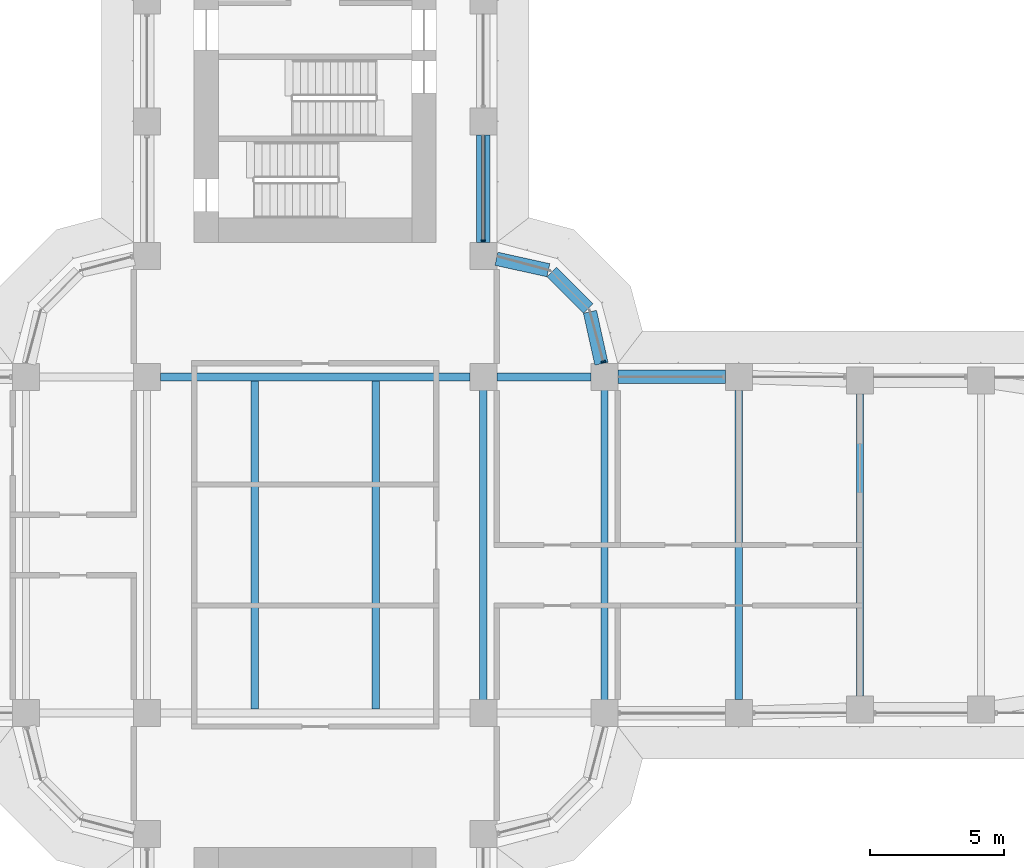
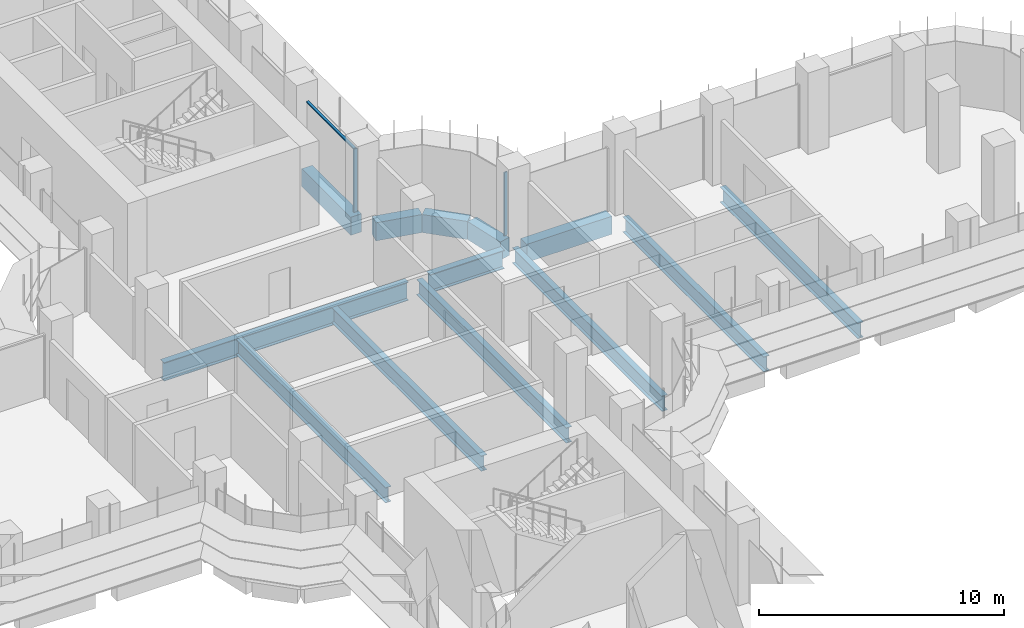
# One storey, part 8 of 23: 13 beams, 3 members, 2 elements without a shape of their own.
"""IFC4 building model written with IfcOpenShell, lengths in metres."""

from ifc_helpers import new_model, si_unit, direction, frame, origin, origin_2d, place, context, subcontext, project, spatial, polyline, rectangle, i_section, outline, extrude, source, transform, mapped, material, material_profile, profile_set, type_object, element, aggregate, save


model = new_model("IFC4")

# Units and contexts
model_context = context("Model", 3, precision=1e-05, world=origin(), true_north=direction((0.0, 1.0)))
body_context = subcontext(model_context, "Body", "Model", "MODEL_VIEW")
ifc_project = project(units=[si_unit("LENGTHUNIT", "METRE"), si_unit("AREAUNIT", "SQUARE_METRE"), si_unit("VOLUMEUNIT", "CUBIC_METRE"), si_unit("PLANEANGLEUNIT", "RADIAN"), si_unit("MASSUNIT", "GRAM", prefix="KILO")], contexts=[model_context])

# Site, building, storey
site_placement = place(None, origin())
site = spatial("IfcSite", under=ifc_project, at=site_placement, CompositionType="ELEMENT")
building_placement = place(site_placement, origin())
building = spatial("IfcBuilding", under=site, at=building_placement, Name="Zarbagh Exchange Tower", CompositionType="ELEMENT")
storey_placement = place(building_placement, frame((0.0, 0.0, 77.39990234375)))
storey = spatial("IfcBuildingStorey", under=building, at=storey_placement, Name="L17", CompositionType="ELEMENT", Elevation=77.39990234375)

# Beams
ifc_material_1 = material(Name="Steel ASTM A992 Gr 50", Category="steel")
ifc_material_profile_1 = material_profile(ifc_material_1, i_section(OverallWidth=0.2666015625, OverallDepth=0.76708984375, WebThickness=0.014892578125, FlangeThickness=0.023681640625, at=origin_2d()), Name="W30X124")
ifc_profile_set_1 = profile_set([ifc_material_profile_1], Name="Steel ASTM A992 Gr 50")
beam_type_1 = type_object("IfcBeamType", Name="Floor beam W30X124", PredefinedType="BEAM", material=ifc_profile_set_1)
for number, where, z_axis, x_axis, name in (
    (1, (-2.25, -6.09765625, -0.533447265625), (0.0, 1.0, 0.0), (-1.0, 0.0, 0.0), "Steel floor beam"),
    (2, (2.25, -6.09765625, -0.533447265625), (0.0, 1.0, 0.0), (-1.0, 0.0, 0.0), "Steel floor beam"),
    (3, (6.25, -6.09765625, -0.533447265625), (0.0, 1.0, 0.0), (-1.0, 0.0, 0.0), "Steel floor beam"),
    (4, (10.75, -6.09765625, -0.533447265625), (0.0, 1.0, 0.0), (-1.0, 0.0, 0.0), "Steel floor beam"),
):
    element("IfcBeam", number, at=place(storey_placement, frame(where, z_axis=z_axis, x_axis=x_axis)), inside=storey, type_object=beam_type_1, Name=name, PredefinedType="BEAM", context=body_context, shape_type="SweptSolid", body=[
        extrude(i_section(OverallWidth=0.2666015625, OverallDepth=0.76708984375, WebThickness=0.014892578125, FlangeThickness=0.023681640625, at=origin_2d()), origin(), (0.0, 0.0, 1.0), 12.1953125),
    ])
beam_1_placement = place(storey_placement, frame((15.75, -5.75, -0.533447265625), z_axis=(0.0, 1.0, 0.0), x_axis=(-1.0, 0.0, 0.0)))
element("IfcBeam", 5, at=beam_1_placement, inside=storey, type_object=beam_type_1, Name="Steel floor beam", PredefinedType="BEAM", context=body_context, shape_type="SweptSolid", body=[
    extrude(i_section(OverallWidth=0.2666015625, OverallDepth=0.76708984375, WebThickness=0.014892578125, FlangeThickness=0.023681640625, at=origin_2d()), origin(), (0.0, 0.0, 1.0), 11.5),
])
beam_2_placement = place(storey_placement, frame((20.25, -5.610107421875, -0.533447265625), z_axis=(0.0, 1.0, 0.0), x_axis=(-1.0, 0.0, 0.0)))
element("IfcBeam", 6, at=beam_2_placement, inside=storey, type_object=beam_type_1, Name="Steel floor beam", PredefinedType="BEAM", context=body_context, shape_type="SweptSolid", body=[
    extrude(i_section(OverallWidth=0.2666015625, OverallDepth=0.76708984375, WebThickness=0.014892578125, FlangeThickness=0.023681640625, at=origin_2d()), origin(), (0.0, 0.0, 1.0), 11.22021484375),
])
ifc_material_profile_2 = material_profile(ifc_material_1, i_section(OverallWidth=0.3046875, OverallDepth=0.91943359375, WebThickness=0.017333984375, FlangeThickness=0.02783203125, at=origin_2d()), Name="W36X170")
ifc_profile_set_2 = profile_set([ifc_material_profile_2], Name="Steel ASTM A992 Gr 50")
beam_type_2 = type_object("IfcBeamType", Name="Floor girder W36X170", PredefinedType="BEAM", material=ifc_profile_set_2)
beam_3_placement = place(storey_placement, frame((-5.75, 6.25, -0.609619140625), z_axis=(1.0, 0.0, 0.0), x_axis=(0.0, 1.0, 0.0)))
element("IfcBeam", 7, at=beam_3_placement, inside=storey, type_object=beam_type_2, Name="Steel girder", PredefinedType="BEAM", context=body_context, shape_type="SweptSolid", body=[
    extrude(i_section(OverallWidth=0.3046875, OverallDepth=0.91943359375, WebThickness=0.017333984375, FlangeThickness=0.02783203125, at=origin_2d()), origin(), (0.0, 0.0, 1.0), 11.5),
])
beam_4_placement = place(storey_placement, frame((6.75, 6.25, -0.609619140625), z_axis=(1.0, 0.0, 0.0), x_axis=(0.0, 1.0, 0.0)))
element("IfcBeam", 8, at=beam_4_placement, inside=storey, type_object=beam_type_2, Name="Steel girder", PredefinedType="BEAM", context=body_context, shape_type="SweptSolid", body=[
    extrude(i_section(OverallWidth=0.3046875, OverallDepth=0.91943359375, WebThickness=0.017333984375, FlangeThickness=0.02783203125, at=origin_2d()), origin(), (0.0, 0.0, 1.0), 3.5),
])
ifc_material_2 = material(Name="Concrete C60/75", Category="concrete")
ifc_material_profile_3 = material_profile(ifc_material_2, rectangle(XDim=0.5, YDim=0.89990234375, at=origin_2d()), Name="RC spandrel beam 500 x 900 C60/75")
ifc_profile_set_3 = profile_set([ifc_material_profile_3], Name="Concrete C60/75")
beam_type_3 = type_object("IfcBeamType", Name="RC spandrel beam 500 x 900 C60/75", PredefinedType="SPANDREL", material=ifc_profile_set_3)
beam_5_placement = place(storey_placement, frame((6.25, 15.25, -0.599853515625), z_axis=(0.0, -1.0, 0.0), x_axis=(1.0, 0.0, 0.0)))
element("IfcBeam", 9, at=beam_5_placement, inside=storey, type_object=beam_type_3, Name="RC spandrel beam", PredefinedType="SPANDREL", context=body_context, shape_type="SweptSolid", body=[
    extrude(rectangle(XDim=0.5, YDim=0.89990234375, at=origin_2d()), origin(), (0.0, 0.0, 1.0), 4.0),
])
beam_6_placement = place(storey_placement, frame((6.73828125, 10.64208984375, -0.599853515625), z_axis=(0.976375426825, -0.216081063242, 0.0), x_axis=(0.216081063242, 0.976375426825, 0.0)))
element("IfcBeam", 10, at=beam_6_placement, inside=storey, type_object=beam_type_3, Name="RC spandrel beam", PredefinedType="SPANDREL", context=body_context, shape_type="SweptSolid", body=[
    extrude(rectangle(XDim=0.5, YDim=0.89990234375, at=origin_2d()), origin(), (0.0, 0.0, 1.0), 1.978271484375),
])
beam_7_placement = place(storey_placement, frame((8.792724609375, 10.147216796875, -0.599853515625), z_axis=(0.707106781187, -0.707106781187, 0.0), x_axis=(0.707106781187, 0.707106781187, 0.0)))
element("IfcBeam", 11, at=beam_7_placement, inside=storey, type_object=beam_type_3, Name="RC spandrel beam", PredefinedType="SPANDREL", context=body_context, shape_type="SweptSolid", body=[
    extrude(rectangle(XDim=0.5, YDim=0.89990234375, at=origin_2d()), origin(), (0.0, 0.0, 1.0), 1.91552734375),
])
beam_8_placement = place(storey_placement, frame((10.214599609375, 8.669921875, -0.599853515625), z_axis=(0.216081063242, -0.976375426825, 0.0), x_axis=(0.976375426825, 0.216081063242, 0.0)))
element("IfcBeam", 12, at=beam_8_placement, inside=storey, type_object=beam_type_3, Name="RC spandrel beam", PredefinedType="SPANDREL", context=body_context, shape_type="SweptSolid", body=[
    extrude(rectangle(XDim=0.5, YDim=0.89990234375, at=origin_2d()), origin(), (0.0, 0.0, 1.0), 1.978271484375),
])
beam_9_placement = place(storey_placement, frame((11.25, 6.25, -0.599853515625), z_axis=(1.0, 0.0, 0.0), x_axis=(0.0, 1.0, 0.0)))
element("IfcBeam", 13, at=beam_9_placement, inside=storey, type_object=beam_type_3, Name="RC spandrel beam", PredefinedType="SPANDREL", context=body_context, shape_type="SweptSolid", body=[
    extrude(rectangle(XDim=0.5, YDim=0.89990234375, at=origin_2d()), origin(), (0.0, 0.0, 1.0), 4.0),
])

# Curtain wall, member
ifc_material_3 = material(Name="Anodised aluminium frame and glazing", Category="aluminium")
curtain_wall_type = type_object("IfcCurtainWallType", Name="CWA Ribbon glazing, lower zones", PredefinedType="NOTDEFINED", material=ifc_material_3)
curtain_wall_1_placement = place(storey_placement, origin())
curtain_wall_1 = element("IfcCurtainWall", 14, at=curtain_wall_1_placement, inside=storey, type_object=curtain_wall_type, Name="CWA17 curtain wall", PredefinedType="NOTDEFINED")
ifc_material_4 = material(Name="Anodised aluminium frame", Category="aluminium")
member_type_1 = type_object("IfcMemberType", Name="MUA Mullion, anodised aluminium frame", PredefinedType="MULLION", material=ifc_material_4)
shared_shape_1 = source(origin(), body_context, "Body", "SweptSolid", [
    extrude(outline(polyline([(0.0, -0.080078125), (0.06005859375, -0.080078125), (0.06005859375, 0.080078125), (0.0, 0.080078125), (0.0, -0.080078125)])), origin(), (0.0, 0.0, 1.0), 3.14990234375),
])
placement = place(storey_placement, origin())
member_1 = element("IfcMember", 15, at=placement, type_object=member_type_1, Name="CWA17 mullion 1.1", PredefinedType="MULLION", context=body_context, shape_type="MappedRepresentation", body=[
    mapped(shared_shape_1, transform((10.7216796875, 6.7900390625, 0.0), x_axis=(-0.258824779902, 0.965924289636, 0.0), y_axis=(-0.965924289636, -0.258824779902, 0.0), z_axis=(0.0, 0.0, 1.0))),
])
aggregate(curtain_wall_1, [member_1])

# Curtain wall, members
curtain_wall_2_placement = place(storey_placement, origin())
curtain_wall_2 = element("IfcCurtainWall", 16, at=curtain_wall_2_placement, inside=storey, type_object=curtain_wall_type, Name="CWA20 curtain wall", PredefinedType="NOTDEFINED")
member_2 = element("IfcMember", 17, at=placement, type_object=member_type_1, Name="CWA20 mullion 1.1", PredefinedType="MULLION", context=body_context, shape_type="MappedRepresentation", body=[
    mapped(shared_shape_1, transform((6.25, 11.2900390625, 0.0), x_axis=(0.0, 1.0, 0.0), y_axis=(-1.0, 0.0, 0.0), z_axis=(0.0, 0.0, 1.0))),
])
member_type_2 = type_object("IfcMemberType", Name="TRA Transom, anodised aluminium frame", PredefinedType="USERDEFINED", material=ifc_material_4)
shared_shape_2 = source(origin(), body_context, "Body", "SweptSolid", [
    extrude(outline(polyline([(-0.06005859375, -0.06005859375), (0.0, -0.06005859375), (0.0, 0.06005859375), (-0.06005859375, 0.06005859375), (-0.06005859375, -0.06005859375)])), origin(), (0.0, 0.0, 1.0), 3.860107421875),
])
member_3 = element("IfcMember", 18, at=placement, type_object=member_type_2, Name="CWA20 transom 1.1", ObjectType="TRANSOM", PredefinedType="USERDEFINED", context=body_context, shape_type="MappedRepresentation", body=[
    mapped(shared_shape_2, transform((6.25, 11.35009765625, 3.150146484375), x_axis=(0.0, 0.0, 1.0), y_axis=(1.0, 0.0, 0.0), z_axis=(0.0, 1.0, 0.0))),
])
aggregate(curtain_wall_2, [member_2, member_3])

save(model, "model.ifc")
